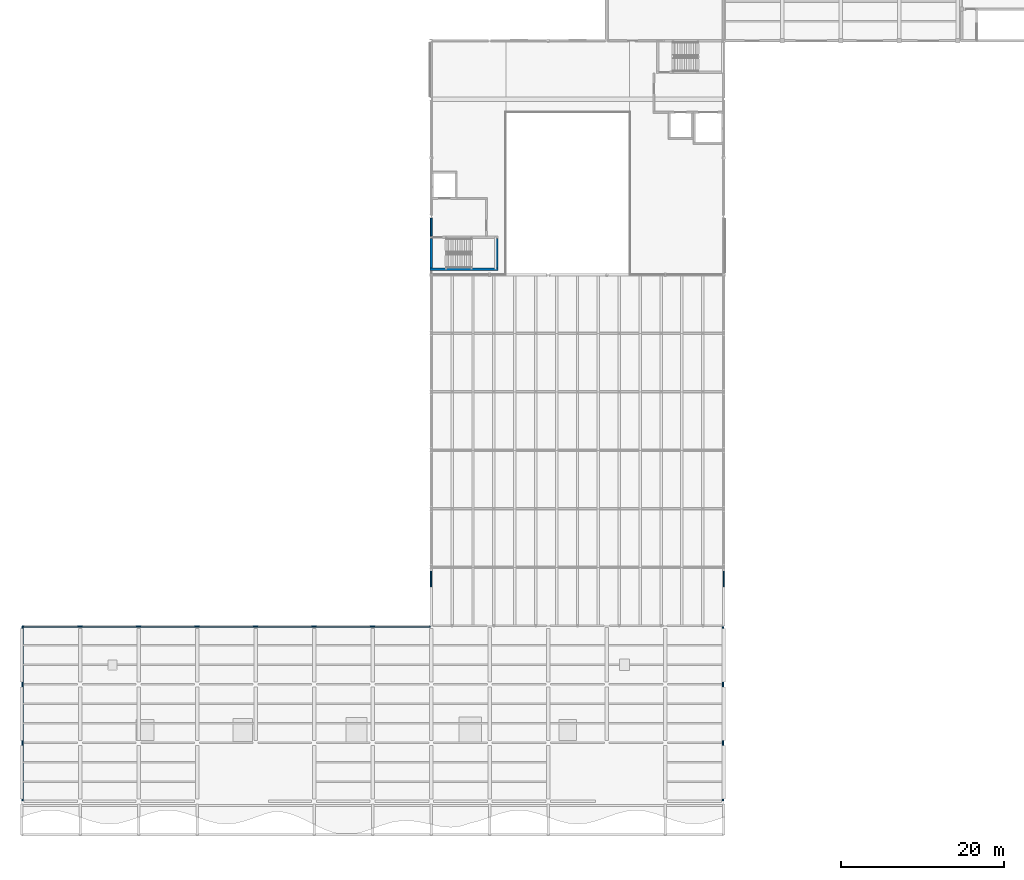
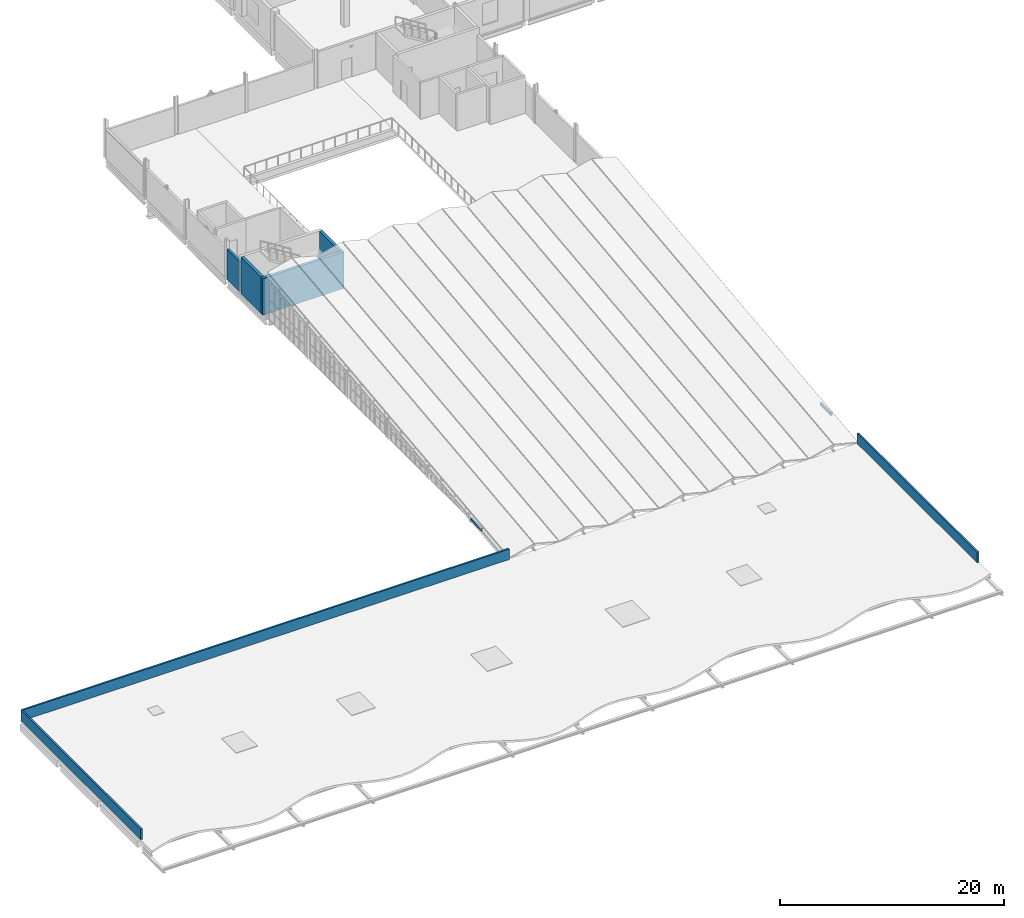
# One storey, part 40 of 48: 9 walls.
"""IFC4 building model written with IfcOpenShell, lengths in metres."""

from ifc_helpers import new_model, si_unit, direction, frame, frame_2d, origin, place, context, subcontext, project, spatial, rectangle, extrude, material, layer, layer_set, type_object, element, save


model = new_model("IFC4")

# Units and contexts
model_context = context("Model", 3, precision=1e-05, world=origin(), true_north=direction((0.0, 1.0)))
body_context = subcontext(model_context, "Body", "Model", "MODEL_VIEW")
ifc_project = project(units=[si_unit("LENGTHUNIT", "METRE"), si_unit("AREAUNIT", "SQUARE_METRE"), si_unit("VOLUMEUNIT", "CUBIC_METRE"), si_unit("PLANEANGLEUNIT", "RADIAN"), si_unit("MASSUNIT", "GRAM", prefix="KILO"), si_unit("THERMODYNAMICTEMPERATUREUNIT", "KELVIN"), si_unit("POWERUNIT", "WATT")], contexts=[model_context])

# Site, building, storey
site_placement = place(None, origin())
site = spatial("IfcSite", under=ifc_project, at=site_placement, CompositionType="ELEMENT")
building_placement = place(site_placement, origin())
building = spatial("IfcBuilding", under=site, at=building_placement, Name="Kaldorven Railside Theatre", CompositionType="ELEMENT")
storey_placement = place(building_placement, frame((0.0, 0.0, 18.89990234375)))
storey = spatial("IfcBuildingStorey", under=building, at=storey_placement, Name="L04", CompositionType="ELEMENT", Elevation=18.89990234375)

# Walls
ifc_material_1 = material(Name="Precast concrete C40/50", Category="concrete")
ifc_layer_1 = layer(ifc_material_1, 0.219970703125, Name="Precast concrete C40/50")
ifc_layer_set_1 = layer_set([ifc_layer_1], Name="Precast concrete C40/50")
wall_type_1 = type_object("IfcWallType", Name="WL-EW07", PredefinedType="SOLIDWALL", material=ifc_layer_set_1)
wall_1_placement = place(storey_placement, frame((87.199951171875, 88.75, 0.0), z_axis=(0.0, 0.0, 1.0), x_axis=(0.0, 1.0, 0.0)))
element("IfcWall", 1, at=wall_1_placement, inside=storey, type_object=wall_type_1, Name="V2 L04 Exterior Wall EW-0317", PredefinedType="SOLIDWALL", context=body_context, shape_type="SweptSolid", body=[
    extrude(rectangle(XDim=2.25, YDim=0.219970703125, at=frame_2d((1.125, 0.0))), origin(), (0.0, 0.0, 1.0), 3.275146484375),
])
ifc_material_2 = material(Name="Architectural concrete C40/50", Category="concrete")
ifc_layer_2 = layer(ifc_material_2, 0.179931640625, Name="Architectural concrete C40/50")
ifc_layer_set_2 = layer_set([ifc_layer_2], Name="Architectural concrete C40/50")
wall_type_2 = type_object("IfcWallType", Name="WL-EW08", PredefinedType="PARAPET", material=ifc_layer_set_2)
for number, where, z_axis, x_axis, name in (
    (2, (87.199951171875, 45.60009765625, 0.02001953125), (0.0, 0.0, 1.0), (0.0, 1.0, 0.0), "Main Theatre West Eave Clerestory Eave Spandrel 1"),
    (3, (123.199951171875, 45.60009765625, 0.02001953125), (0.0, 0.0, 1.0), (0.0, 1.0, 0.0), "Main Theatre East Eave Clerestory Eave Spandrel 17"),
):
    element("IfcWall", number, at=place(storey_placement, frame(where, z_axis=z_axis, x_axis=x_axis)), inside=storey, type_object=wall_type_2, Name=name, PredefinedType="PARAPET", context=body_context, shape_type="SweptSolid", body=[
        extrude(rectangle(XDim=1.934814453125, YDim=0.179931640625, at=frame_2d((0.96728515625, 0.0))), origin(), (0.0, 0.0, 1.0), 0.300048828125),
    ])
wall_2_placement = place(storey_placement, frame((36.889892578125, 40.7099609375, 0.0), z_axis=(0.0, 0.0, 1.0), x_axis=(1.0, 0.0, 0.0)))
element("IfcWall", 4, at=wall_2_placement, inside=storey, type_object=wall_type_2, Name="Roof Perimeter Parapet PRP-06", PredefinedType="PARAPET", context=body_context, shape_type="SweptSolid", body=[
    extrude(rectangle(XDim=50.22021484375, YDim=0.179931640625, at=frame_2d((25.110107421875, 0.0))), origin(), (0.0, 0.0, 1.0), 1.150146484375),
])
for number, where, z_axis, x_axis, name in (
    (5, (36.889892578125, 19.2900390625, 0.0), (0.0, 0.0, 1.0), (0.0, 1.0, 0.0), "Roof Perimeter Parapet PRP-07"),
    (6, (123.110107421875, 19.2900390625, 0.0), (0.0, 0.0, 1.0), (0.0, 1.0, 0.0), "Roof Perimeter Parapet PRP-08"),
):
    element("IfcWall", number, at=place(storey_placement, frame(where, z_axis=z_axis, x_axis=x_axis)), inside=storey, type_object=wall_type_2, Name=name, PredefinedType="PARAPET", context=body_context, shape_type="SweptSolid", body=[
        extrude(rectangle(XDim=21.419921875, YDim=0.179931640625, at=frame_2d((10.7099609375, 0.0))), origin(), (0.0, 0.0, 1.0), 1.150146484375),
    ])
ifc_material_3 = material(Name="Concrete C40/50", Category="concrete")
ifc_layer_3 = layer(ifc_material_3, 0.300048828125, Name="Concrete C40/50")
ifc_layer_set_3 = layer_set([ifc_layer_3], Name="Concrete C40/50")
wall_type_3 = type_object("IfcWallType", Name="WL-IW-CORE", PredefinedType="SHEAR", material=ifc_layer_set_3)
wall_3_placement = place(storey_placement, frame((95.449951171875, 84.699951171875, 0.0), z_axis=(0.0, 0.0, 1.0), x_axis=(-1.0, 0.0, 0.0)))
element("IfcWall", 7, at=wall_3_placement, inside=storey, type_object=wall_type_3, Name="L04 Core Wall CW-0149", PredefinedType="SHEAR", context=body_context, shape_type="SweptSolid", body=[
    extrude(rectangle(XDim=8.39990234375, YDim=0.300048828125, at=frame_2d((4.199951171875, 0.0))), origin(), (0.0, 0.0, 1.0), 3.97998046875),
])
wall_4_placement = place(storey_placement, frame((87.199951171875, 84.85205078125, 0.0), z_axis=(0.0, 0.0, 1.0), x_axis=(0.0, 1.0, 0.0)))
element("IfcWall", 8, at=wall_4_placement, inside=storey, type_object=wall_type_3, Name="L04 Core Wall CW-0150", PredefinedType="SHEAR", context=body_context, shape_type="SweptSolid", body=[
    extrude(rectangle(XDim=3.597900390625, YDim=0.300048828125, at=frame_2d((1.798828125, 0.0))), origin(), (0.0, 0.0, 1.0), 3.97998046875),
])
wall_5_placement = place(storey_placement, frame((95.300048828125, 88.447998046875, 0.0), z_axis=(0.0, 0.0, 1.0), x_axis=(0.0, -1.0, 0.0)))
element("IfcWall", 9, at=wall_5_placement, inside=storey, type_object=wall_type_3, Name="L04 Core Wall CW-0152", PredefinedType="SHEAR", context=body_context, shape_type="SweptSolid", body=[
    extrude(rectangle(XDim=3.595947265625, YDim=0.300048828125, at=frame_2d((1.7978515625, 0.0))), origin(), (0.0, 0.0, 1.0), 3.97998046875),
])

save(model, "model.ifc")
